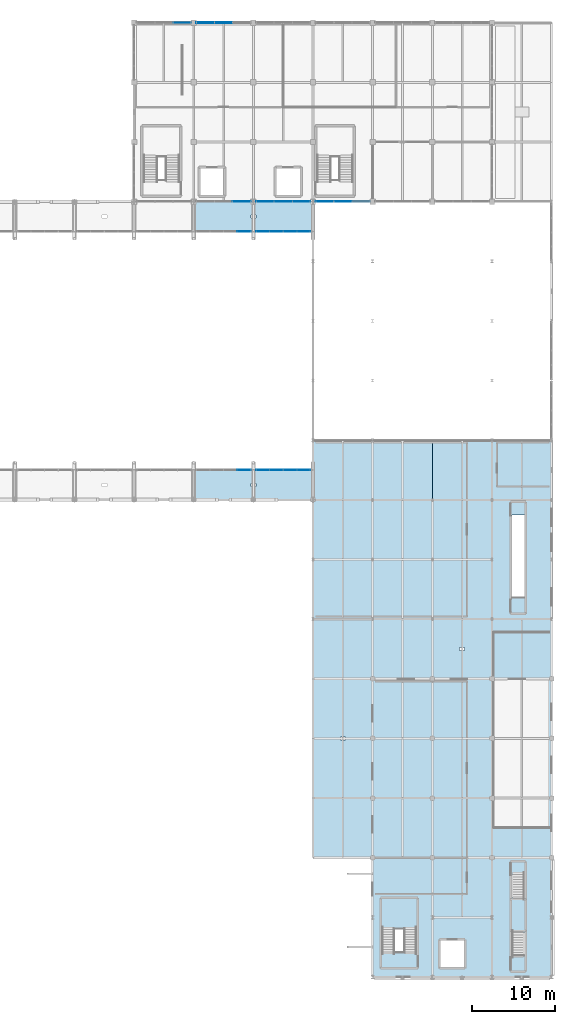
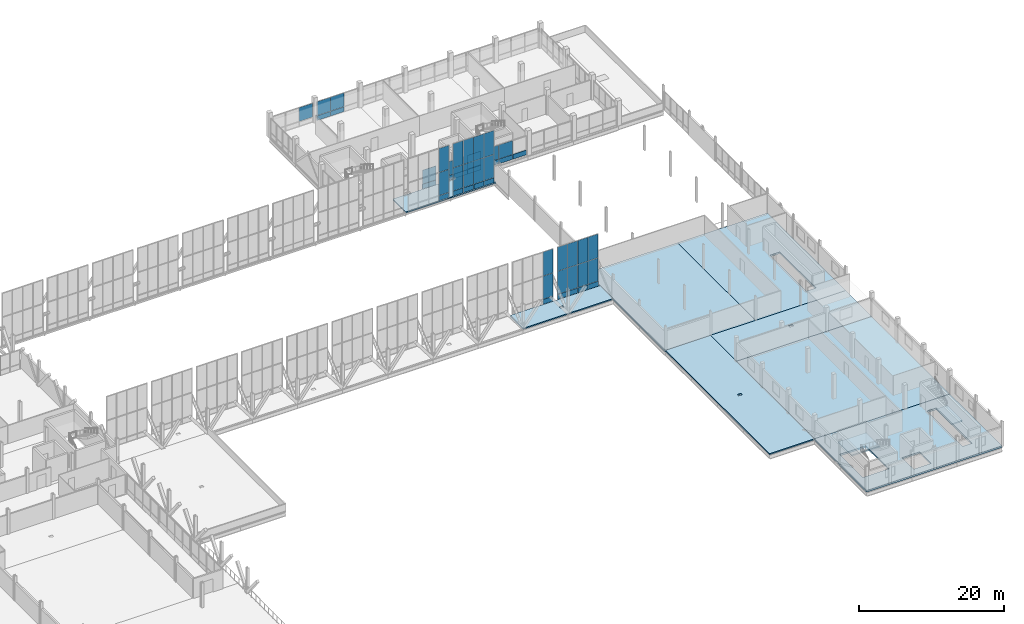
# One storey, part 81 of 102: 48 plates, 10 slabs, 11 elements without a shape of their own.
"""IFC4 building model written with IfcOpenShell, lengths in metres."""

from ifc_helpers import new_model, si_unit, direction, frame, origin, origin_2d, place, context, subcontext, project, spatial, polyline, rectangle, outline, extrude, material, layer, layer_set, type_object, element, aggregate, save


model = new_model("IFC4")

# Units and contexts
model_context = context("Model", 3, precision=1e-05, world=origin(), true_north=direction((0.0, 1.0)))
body_context = subcontext(model_context, "Body", "Model", "MODEL_VIEW")
ifc_project = project(units=[si_unit("LENGTHUNIT", "METRE"), si_unit("AREAUNIT", "SQUARE_METRE"), si_unit("VOLUMEUNIT", "CUBIC_METRE"), si_unit("PLANEANGLEUNIT", "RADIAN"), si_unit("MASSUNIT", "GRAM", prefix="KILO")], contexts=[model_context])

# Site, building, storey
site_placement = place(None, origin())
site = spatial("IfcSite", under=ifc_project, at=site_placement, CompositionType="ELEMENT")
building_placement = place(site_placement, origin())
building = spatial("IfcBuilding", under=site, at=building_placement, Name="Yarey Park Central Fire Station", CompositionType="ELEMENT")
storey_placement = place(building_placement, frame((0.0, 0.0, 6.0)))
storey = spatial("IfcBuildingStorey", under=building, at=storey_placement, Name="L02", CompositionType="ELEMENT", Elevation=6.0)

# Curtain wall, plate
ifc_material_1 = material(Name="Anodized Aluminium Frame", Category="aluminium")
curtain_wall_type_1 = type_object("IfcCurtainWallType", Name="ENV_CW_CLER_9M", PredefinedType="NOTDEFINED", material=ifc_material_1)
curtain_wall_1_placement = place(storey_placement, origin())
curtain_wall_1 = element("IfcCurtainWall", 1, at=curtain_wall_1_placement, inside=storey, type_object=curtain_wall_type_1, Name="CW_V2_CLER_N_10", PredefinedType="NOTDEFINED")
ifc_material_2 = material(Name="Insulated Aluminium Spandrel Panel", Category="aluminium")
ifc_layer_1 = layer(ifc_material_2, 0.055908203125)
ifc_layer_set_1 = layer_set([ifc_layer_1], Name="Insulated Aluminium Spandrel Panel")
plate_type_1 = type_object("IfcPlateType", Name="ENV_PNL_SPN_01", PredefinedType="CURTAIN_PANEL", material=ifc_layer_set_1)
plate_1_placement = place(storey_placement, frame((128.467529296875, 90.0, 0.04248046875), z_axis=(0.0, 0.0, 1.0), x_axis=(-1.0, 0.0, 0.0)))
plate_1 = element("IfcPlate", 2, at=plate_1_placement, type_object=plate_type_1, Name="CW_V2_CLER_N_10_PNL01", PredefinedType="CURTAIN_PANEL", context=body_context, shape_type="SweptSolid", body=[
    extrude(rectangle(XDim=1.60498046875, YDim=0.055908203125, at=origin_2d()), origin(), (0.0, 0.0, 1.0), 0.840087890625),
])

# Curtain wall, plates
curtain_wall_2_placement = place(storey_placement, origin())
curtain_wall_2 = element("IfcCurtainWall", 3, at=curtain_wall_2_placement, inside=storey, type_object=curtain_wall_type_1, Name="CW_V2_CLER_S_11", PredefinedType="NOTDEFINED")
ifc_layer_2 = layer(ifc_material_2, 0.068115234375)
ifc_layer_set_2 = layer_set([ifc_layer_2], Name="Insulated Aluminium Spandrel Panel")
plate_type_2 = type_object("IfcPlateType", Name="ENV_PNL_SPN_02", PredefinedType="CURTAIN_PANEL", material=ifc_layer_set_2)
plate_2_placement = place(storey_placement, frame((130.732421875, 61.199951171875, 0.04248046875), z_axis=(0.0, 0.0, 1.0), x_axis=(1.0, 0.0, 0.0)))
plate_2 = element("IfcPlate", 4, at=plate_2_placement, type_object=plate_type_2, Name="CW_V2_CLER_S_11_PNL01", PredefinedType="CURTAIN_PANEL", context=body_context, shape_type="SweptSolid", body=[
    extrude(rectangle(XDim=1.60498046875, YDim=0.068115234375, at=origin_2d()), origin(), (0.0, 0.0, 1.0), 0.840087890625),
])
plate_3_placement = place(storey_placement, frame((132.37744140625, 61.199951171875, 0.04248046875), z_axis=(0.0, 0.0, 1.0), x_axis=(1.0, 0.0, 0.0)))
plate_3 = element("IfcPlate", 5, at=plate_3_placement, type_object=plate_type_2, Name="CW_V2_CLER_S_11_PNL04", PredefinedType="CURTAIN_PANEL", context=body_context, shape_type="SweptSolid", body=[
    extrude(rectangle(XDim=1.60498046875, YDim=0.068115234375, at=origin_2d()), origin(), (0.0, 0.0, 1.0), 0.840087890625),
])
plate_4_placement = place(storey_placement, frame((134.0224609375, 61.199951171875, 0.04248046875), z_axis=(0.0, 0.0, 1.0), x_axis=(1.0, 0.0, 0.0)))
plate_4 = element("IfcPlate", 6, at=plate_4_placement, type_object=plate_type_2, Name="CW_V2_CLER_S_11_PNL07", PredefinedType="CURTAIN_PANEL", context=body_context, shape_type="SweptSolid", body=[
    extrude(rectangle(XDim=1.60498046875, YDim=0.068115234375, at=origin_2d()), origin(), (0.0, 0.0, 1.0), 0.840087890625),
])
plate_5_placement = place(storey_placement, frame((135.66748046875, 61.199951171875, 0.04248046875), z_axis=(0.0, 0.0, 1.0), x_axis=(1.0, 0.0, 0.0)))
plate_5 = element("IfcPlate", 7, at=plate_5_placement, type_object=plate_type_2, Name="CW_V2_CLER_S_11_PNL10", PredefinedType="CURTAIN_PANEL", context=body_context, shape_type="SweptSolid", body=[
    extrude(rectangle(XDim=1.60498046875, YDim=0.068115234375, at=origin_2d()), origin(), (0.0, 0.0, 1.0), 0.840087890625),
])

curtain_wall_type_2 = type_object("IfcCurtainWallType", Name="ENV_CW_HQ_L02", PredefinedType="NOTDEFINED", material=ifc_material_1)
curtain_wall_3_placement = place(storey_placement, origin())
curtain_wall_3 = element("IfcCurtainWall", 8, at=curtain_wall_3_placement, inside=storey, type_object=curtain_wall_type_2, Name="CW_L02_V4_S_3", PredefinedType="NOTDEFINED")
plate_6_placement = place(storey_placement, frame((131.006591796875, 93.60009765625, 0.04248046875), z_axis=(0.0, 0.0, 1.0), x_axis=(1.0, 0.0, 0.0)))
plate_6 = element("IfcPlate", 9, at=plate_6_placement, type_object=plate_type_2, Name="CW_L02_V4_S_3_PNL01", PredefinedType="CURTAIN_PANEL", context=body_context, shape_type="SweptSolid", body=[
    extrude(rectangle(XDim=2.1533203125, YDim=0.068115234375, at=origin_2d()), origin(), (0.0, 0.0, 1.0), 0.7900390625),
])
plate_7_placement = place(storey_placement, frame((133.199951171875, 93.60009765625, 0.04248046875), z_axis=(0.0, 0.0, 1.0), x_axis=(1.0, 0.0, 0.0)))
plate_7 = element("IfcPlate", 10, at=plate_7_placement, type_object=plate_type_2, Name="CW_L02_V4_S_3_PNL03", PredefinedType="CURTAIN_PANEL", context=body_context, shape_type="SweptSolid", body=[
    extrude(rectangle(XDim=2.1533203125, YDim=0.068115234375, at=origin_2d()), origin(), (0.0, 0.0, 1.0), 0.7900390625),
])
plate_8_placement = place(storey_placement, frame((135.393310546875, 93.60009765625, 0.04248046875), z_axis=(0.0, 0.0, 1.0), x_axis=(1.0, 0.0, 0.0)))
plate_8 = element("IfcPlate", 11, at=plate_8_placement, type_object=plate_type_2, Name="CW_L02_V4_S_3_PNL05", PredefinedType="CURTAIN_PANEL", context=body_context, shape_type="SweptSolid", body=[
    extrude(rectangle(XDim=2.1533203125, YDim=0.068115234375, at=origin_2d()), origin(), (0.0, 0.0, 1.0), 0.7900390625),
])

curtain_wall_4_placement = place(storey_placement, origin())
curtain_wall_4 = element("IfcCurtainWall", 12, at=curtain_wall_4_placement, inside=storey, type_object=curtain_wall_type_1, Name="CW_V2_CLER_N_11", PredefinedType="NOTDEFINED")
ifc_layer_3 = layer(ifc_material_2, 0.077880859375)
ifc_layer_set_3 = layer_set([ifc_layer_3], Name="Insulated Aluminium Spandrel Panel")
plate_type_3 = type_object("IfcPlateType", Name="ENV_PNL_SPN_03", PredefinedType="CURTAIN_PANEL", material=ifc_layer_set_3)
plate_9_placement = place(storey_placement, frame((135.66748046875, 90.0, 0.04248046875), z_axis=(0.0, 0.0, 1.0), x_axis=(-1.0, 0.0, 0.0)))
plate_9 = element("IfcPlate", 13, at=plate_9_placement, type_object=plate_type_3, Name="CW_V2_CLER_N_11_PNL01", PredefinedType="CURTAIN_PANEL", context=body_context, shape_type="SweptSolid", body=[
    extrude(rectangle(XDim=1.60498046875, YDim=0.077880859375, at=origin_2d()), origin(), (0.0, 0.0, 1.0), 0.840087890625),
])
plate_10_placement = place(storey_placement, frame((134.0224609375, 90.0, 0.04248046875), z_axis=(0.0, 0.0, 1.0), x_axis=(-1.0, 0.0, 0.0)))
plate_10 = element("IfcPlate", 14, at=plate_10_placement, type_object=plate_type_3, Name="CW_V2_CLER_N_11_PNL04", PredefinedType="CURTAIN_PANEL", context=body_context, shape_type="SweptSolid", body=[
    extrude(rectangle(XDim=1.60498046875, YDim=0.077880859375, at=origin_2d()), origin(), (0.0, 0.0, 1.0), 0.840087890625),
])
plate_11_placement = place(storey_placement, frame((132.37744140625, 90.0, 0.04248046875), z_axis=(0.0, 0.0, 1.0), x_axis=(-1.0, 0.0, 0.0)))
plate_11 = element("IfcPlate", 15, at=plate_11_placement, type_object=plate_type_3, Name="CW_V2_CLER_N_11_PNL07", PredefinedType="CURTAIN_PANEL", context=body_context, shape_type="SweptSolid", body=[
    extrude(rectangle(XDim=1.60498046875, YDim=0.077880859375, at=origin_2d()), origin(), (0.0, 0.0, 1.0), 0.840087890625),
])
plate_12_placement = place(storey_placement, frame((130.732421875, 90.0, 0.04248046875), z_axis=(0.0, 0.0, 1.0), x_axis=(-1.0, 0.0, 0.0)))
plate_12 = element("IfcPlate", 16, at=plate_12_placement, type_object=plate_type_3, Name="CW_V2_CLER_N_11_PNL10", PredefinedType="CURTAIN_PANEL", context=body_context, shape_type="SweptSolid", body=[
    extrude(rectangle(XDim=1.60498046875, YDim=0.077880859375, at=origin_2d()), origin(), (0.0, 0.0, 1.0), 0.840087890625),
])

curtain_wall_5_placement = place(storey_placement, origin())
curtain_wall_5 = element("IfcCurtainWall", 17, at=curtain_wall_5_placement, inside=storey, type_object=curtain_wall_type_2, Name="CW_L02_V4_N_2", PredefinedType="NOTDEFINED")
plate_13_placement = place(storey_placement, frame((126.0, 115.199951171875, 0.04248046875), z_axis=(0.0, 0.0, 1.0), x_axis=(-1.0, 0.0, 0.0)))
plate_13 = element("IfcPlate", 18, at=plate_13_placement, type_object=plate_type_3, Name="CW_L02_V4_N_2_PNL03", PredefinedType="CURTAIN_PANEL", context=body_context, shape_type="SweptSolid", body=[
    extrude(rectangle(XDim=2.1533203125, YDim=0.077880859375, at=origin_2d()), origin(), (0.0, 0.0, 1.0), 0.7900390625),
])
plate_14_placement = place(storey_placement, frame((123.806640625, 115.199951171875, 0.04248046875), z_axis=(0.0, 0.0, 1.0), x_axis=(-1.0, 0.0, 0.0)))
plate_14 = element("IfcPlate", 19, at=plate_14_placement, type_object=plate_type_3, Name="CW_L02_V4_N_2_PNL05", PredefinedType="CURTAIN_PANEL", context=body_context, shape_type="SweptSolid", body=[
    extrude(rectangle(XDim=2.1533203125, YDim=0.077880859375, at=origin_2d()), origin(), (0.0, 0.0, 1.0), 0.7900390625),
])

# Curtain wall, plate
curtain_wall_6_placement = place(storey_placement, origin())
curtain_wall_6 = element("IfcCurtainWall", 20, at=curtain_wall_6_placement, inside=storey, type_object=curtain_wall_type_1, Name="CW_V2_CLER_S_10", PredefinedType="NOTDEFINED")
ifc_layer_4 = layer(ifc_material_2, 0.087890625)
ifc_layer_set_4 = layer_set([ifc_layer_4], Name="Insulated Aluminium Spandrel Panel")
plate_type_4 = type_object("IfcPlateType", Name="ENV_PNL_SPN_04", PredefinedType="CURTAIN_PANEL", material=ifc_layer_set_4)
plate_15_placement = place(storey_placement, frame((128.467529296875, 61.199951171875, 0.04248046875), z_axis=(0.0, 0.0, 1.0), x_axis=(1.0, 0.0, 0.0)))
plate_15 = element("IfcPlate", 21, at=plate_15_placement, type_object=plate_type_4, Name="CW_V2_CLER_S_10_PNL10", PredefinedType="CURTAIN_PANEL", context=body_context, shape_type="SweptSolid", body=[
    extrude(rectangle(XDim=1.60498046875, YDim=0.087890625, at=origin_2d()), origin(), (0.0, 0.0, 1.0), 0.840087890625),
])

curtain_wall_7_placement = place(storey_placement, origin())
curtain_wall_7 = element("IfcCurtainWall", 22, at=curtain_wall_7_placement, inside=storey, type_object=curtain_wall_type_2, Name="CW_L02_V4_S_2", PredefinedType="NOTDEFINED")
plate_16_placement = place(storey_placement, frame((128.193359375, 93.60009765625, 0.04248046875), z_axis=(0.0, 0.0, 1.0), x_axis=(1.0, 0.0, 0.0)))
plate_16 = element("IfcPlate", 23, at=plate_16_placement, type_object=plate_type_4, Name="CW_L02_V4_S_2_PNL05", PredefinedType="CURTAIN_PANEL", context=body_context, shape_type="SweptSolid", body=[
    extrude(rectangle(XDim=2.1533203125, YDim=0.087890625, at=origin_2d()), origin(), (0.0, 0.0, 1.0), 0.7900390625),
])

# Curtain wall, plates
curtain_wall_8_placement = place(storey_placement, origin())
curtain_wall_8 = element("IfcCurtainWall", 24, at=curtain_wall_8_placement, inside=storey, type_object=curtain_wall_type_2, Name="CW_L02_V4_S_4", PredefinedType="NOTDEFINED")
plate_17_placement = place(storey_placement, frame((138.206787109375, 93.60009765625, 0.04248046875), z_axis=(0.0, 0.0, 1.0), x_axis=(1.0, 0.0, 0.0)))
plate_17 = element("IfcPlate", 25, at=plate_17_placement, type_object=plate_type_4, Name="CW_L02_V4_S_4_PNL01", PredefinedType="CURTAIN_PANEL", context=body_context, shape_type="SweptSolid", body=[
    extrude(rectangle(XDim=2.1533203125, YDim=0.087890625, at=origin_2d()), origin(), (0.0, 0.0, 1.0), 0.7900390625),
])
plate_18_placement = place(storey_placement, frame((140.39990234375, 93.60009765625, 0.04248046875), z_axis=(0.0, 0.0, 1.0), x_axis=(1.0, 0.0, 0.0)))
plate_18 = element("IfcPlate", 26, at=plate_18_placement, type_object=plate_type_4, Name="CW_L02_V4_S_4_PNL03", PredefinedType="CURTAIN_PANEL", context=body_context, shape_type="SweptSolid", body=[
    extrude(rectangle(XDim=2.1533203125, YDim=0.087890625, at=origin_2d()), origin(), (0.0, 0.0, 1.0), 0.7900390625),
])
plate_19_placement = place(storey_placement, frame((142.59326171875, 93.60009765625, 0.04248046875), z_axis=(0.0, 0.0, 1.0), x_axis=(1.0, 0.0, 0.0)))
plate_19 = element("IfcPlate", 27, at=plate_19_placement, type_object=plate_type_4, Name="CW_L02_V4_S_4_PNL05", PredefinedType="CURTAIN_PANEL", context=body_context, shape_type="SweptSolid", body=[
    extrude(rectangle(XDim=2.1533203125, YDim=0.087890625, at=origin_2d()), origin(), (0.0, 0.0, 1.0), 0.7900390625),
])

# Plate
ifc_material_3 = material(Name="Laminated Hurricane Low-E Glass", Category="glass")
ifc_layer_5 = layer(ifc_material_3, 0.02392578125)
ifc_layer_set_5 = layer_set([ifc_layer_5], Name="Laminated Hurricane Low-E Glass")
plate_type_5 = type_object("IfcPlateType", Name="ENV_PNL_VIS_01", PredefinedType="CURTAIN_PANEL", material=ifc_layer_set_5)
plate_20_placement = place(storey_placement, frame((128.467529296875, 90.0, 0.91748046875), z_axis=(0.0, 0.0, 1.0), x_axis=(-1.0, 0.0, 0.0)))
plate_20 = element("IfcPlate", 28, at=plate_20_placement, type_object=plate_type_5, Name="CW_V2_CLER_N_10_PNL02", PredefinedType="CURTAIN_PANEL", context=body_context, shape_type="SweptSolid", body=[
    extrude(rectangle(XDim=1.60498046875, YDim=0.02392578125, at=origin_2d()), origin(), (0.0, 0.0, 1.0), 3.87109375),
])

plate_21_placement = place(storey_placement, frame((128.467529296875, 90.0, 4.82373046875), z_axis=(0.0, 0.0, 1.0), x_axis=(-1.0, 0.0, 0.0)))
plate_21 = element("IfcPlate", 29, at=plate_21_placement, type_object=plate_type_5, Name="CW_V2_CLER_N_10_PNL03", PredefinedType="CURTAIN_PANEL", context=body_context, shape_type="SweptSolid", body=[
    extrude(rectangle(XDim=1.60498046875, YDim=0.02392578125, at=origin_2d()), origin(), (0.0, 0.0, 1.0), 4.033935546875),
])

aggregate(curtain_wall_1, [plate_1, plate_20, plate_21])

# Curtain wall, plate
curtain_wall_9_placement = place(storey_placement, origin())
curtain_wall_9 = element("IfcCurtainWall", 30, at=curtain_wall_9_placement, inside=storey, type_object=curtain_wall_type_2, Name="CW_L02_V4_N_1", PredefinedType="NOTDEFINED")
plate_22_placement = place(storey_placement, frame((120.993408203125, 115.199951171875, 0.867431640625), z_axis=(0.0, 0.0, 1.0), x_axis=(-1.0, 0.0, 0.0)))
plate_22 = element("IfcPlate", 31, at=plate_22_placement, type_object=plate_type_5, Name="CW_L02_V4_N_1_PNL02", PredefinedType="CURTAIN_PANEL", context=body_context, shape_type="SweptSolid", body=[
    extrude(rectangle(XDim=2.1533203125, YDim=0.02392578125, at=origin_2d()), origin(), (0.0, 0.0, 1.0), 2.3369140625),
])
aggregate(curtain_wall_9, [plate_22])

# Plate
ifc_layer_6 = layer(ifc_material_3, 0.031982421875)
ifc_layer_set_6 = layer_set([ifc_layer_6], Name="Laminated Hurricane Low-E Glass")
plate_type_6 = type_object("IfcPlateType", Name="ENV_PNL_VIS_02", PredefinedType="CURTAIN_PANEL", material=ifc_layer_set_6)
plate_23_placement = place(storey_placement, frame((130.732421875, 61.199951171875, 0.91748046875), z_axis=(0.0, 0.0, 1.0), x_axis=(1.0, 0.0, 0.0)))
plate_23 = element("IfcPlate", 32, at=plate_23_placement, type_object=plate_type_6, Name="CW_V2_CLER_S_11_PNL02", PredefinedType="CURTAIN_PANEL", context=body_context, shape_type="SweptSolid", body=[
    extrude(rectangle(XDim=1.60498046875, YDim=0.031982421875, at=origin_2d()), origin(), (0.0, 0.0, 1.0), 3.87109375),
])

plate_24_placement = place(storey_placement, frame((130.732421875, 61.199951171875, 4.82373046875), z_axis=(0.0, 0.0, 1.0), x_axis=(1.0, 0.0, 0.0)))
plate_24 = element("IfcPlate", 33, at=plate_24_placement, type_object=plate_type_6, Name="CW_V2_CLER_S_11_PNL03", PredefinedType="CURTAIN_PANEL", context=body_context, shape_type="SweptSolid", body=[
    extrude(rectangle(XDim=1.60498046875, YDim=0.031982421875, at=origin_2d()), origin(), (0.0, 0.0, 1.0), 4.033935546875),
])

plate_25_placement = place(storey_placement, frame((132.37744140625, 61.199951171875, 0.91748046875), z_axis=(0.0, 0.0, 1.0), x_axis=(1.0, 0.0, 0.0)))
plate_25 = element("IfcPlate", 34, at=plate_25_placement, type_object=plate_type_6, Name="CW_V2_CLER_S_11_PNL05", PredefinedType="CURTAIN_PANEL", context=body_context, shape_type="SweptSolid", body=[
    extrude(rectangle(XDim=1.60498046875, YDim=0.031982421875, at=origin_2d()), origin(), (0.0, 0.0, 1.0), 3.87109375),
])

plate_26_placement = place(storey_placement, frame((132.37744140625, 61.199951171875, 4.82373046875), z_axis=(0.0, 0.0, 1.0), x_axis=(1.0, 0.0, 0.0)))
plate_26 = element("IfcPlate", 35, at=plate_26_placement, type_object=plate_type_6, Name="CW_V2_CLER_S_11_PNL06", PredefinedType="CURTAIN_PANEL", context=body_context, shape_type="SweptSolid", body=[
    extrude(rectangle(XDim=1.60498046875, YDim=0.031982421875, at=origin_2d()), origin(), (0.0, 0.0, 1.0), 4.033935546875),
])

plate_27_placement = place(storey_placement, frame((134.0224609375, 61.199951171875, 0.91748046875), z_axis=(0.0, 0.0, 1.0), x_axis=(1.0, 0.0, 0.0)))
plate_27 = element("IfcPlate", 36, at=plate_27_placement, type_object=plate_type_6, Name="CW_V2_CLER_S_11_PNL08", PredefinedType="CURTAIN_PANEL", context=body_context, shape_type="SweptSolid", body=[
    extrude(rectangle(XDim=1.60498046875, YDim=0.031982421875, at=origin_2d()), origin(), (0.0, 0.0, 1.0), 3.87109375),
])

plate_28_placement = place(storey_placement, frame((134.0224609375, 61.199951171875, 4.82373046875), z_axis=(0.0, 0.0, 1.0), x_axis=(1.0, 0.0, 0.0)))
plate_28 = element("IfcPlate", 37, at=plate_28_placement, type_object=plate_type_6, Name="CW_V2_CLER_S_11_PNL09", PredefinedType="CURTAIN_PANEL", context=body_context, shape_type="SweptSolid", body=[
    extrude(rectangle(XDim=1.60498046875, YDim=0.031982421875, at=origin_2d()), origin(), (0.0, 0.0, 1.0), 4.033935546875),
])

plate_29_placement = place(storey_placement, frame((135.66748046875, 61.199951171875, 0.91748046875), z_axis=(0.0, 0.0, 1.0), x_axis=(1.0, 0.0, 0.0)))
plate_29 = element("IfcPlate", 38, at=plate_29_placement, type_object=plate_type_6, Name="CW_V2_CLER_S_11_PNL11", PredefinedType="CURTAIN_PANEL", context=body_context, shape_type="SweptSolid", body=[
    extrude(rectangle(XDim=1.60498046875, YDim=0.031982421875, at=origin_2d()), origin(), (0.0, 0.0, 1.0), 3.87109375),
])

plate_30_placement = place(storey_placement, frame((135.66748046875, 61.199951171875, 4.82373046875), z_axis=(0.0, 0.0, 1.0), x_axis=(1.0, 0.0, 0.0)))
plate_30 = element("IfcPlate", 39, at=plate_30_placement, type_object=plate_type_6, Name="CW_V2_CLER_S_11_PNL12", PredefinedType="CURTAIN_PANEL", context=body_context, shape_type="SweptSolid", body=[
    extrude(rectangle(XDim=1.60498046875, YDim=0.031982421875, at=origin_2d()), origin(), (0.0, 0.0, 1.0), 4.033935546875),
])

aggregate(curtain_wall_2, [plate_2, plate_23, plate_24, plate_3, plate_25, plate_26, plate_4, plate_27, plate_28, plate_5, plate_29, plate_30])

plate_31_placement = place(storey_placement, frame((131.006591796875, 93.60009765625, 0.867431640625), z_axis=(0.0, 0.0, 1.0), x_axis=(1.0, 0.0, 0.0)))
plate_31 = element("IfcPlate", 40, at=plate_31_placement, type_object=plate_type_6, Name="CW_L02_V4_S_3_PNL02", PredefinedType="CURTAIN_PANEL", context=body_context, shape_type="SweptSolid", body=[
    extrude(rectangle(XDim=2.1533203125, YDim=0.031982421875, at=origin_2d()), origin(), (0.0, 0.0, 1.0), 2.3369140625),
])

plate_32_placement = place(storey_placement, frame((133.199951171875, 93.60009765625, 0.867431640625), z_axis=(0.0, 0.0, 1.0), x_axis=(1.0, 0.0, 0.0)))
plate_32 = element("IfcPlate", 41, at=plate_32_placement, type_object=plate_type_6, Name="CW_L02_V4_S_3_PNL04", PredefinedType="CURTAIN_PANEL", context=body_context, shape_type="SweptSolid", body=[
    extrude(rectangle(XDim=2.1533203125, YDim=0.031982421875, at=origin_2d()), origin(), (0.0, 0.0, 1.0), 2.3369140625),
])

plate_33_placement = place(storey_placement, frame((135.393310546875, 93.60009765625, 0.867431640625), z_axis=(0.0, 0.0, 1.0), x_axis=(1.0, 0.0, 0.0)))
plate_33 = element("IfcPlate", 42, at=plate_33_placement, type_object=plate_type_6, Name="CW_L02_V4_S_3_PNL06", PredefinedType="CURTAIN_PANEL", context=body_context, shape_type="SweptSolid", body=[
    extrude(rectangle(XDim=2.1533203125, YDim=0.031982421875, at=origin_2d()), origin(), (0.0, 0.0, 1.0), 2.3369140625),
])

aggregate(curtain_wall_3, [plate_6, plate_31, plate_7, plate_32, plate_8, plate_33])

ifc_layer_7 = layer(ifc_material_3, 0.0380859375)
ifc_layer_set_7 = layer_set([ifc_layer_7], Name="Laminated Hurricane Low-E Glass")
plate_type_7 = type_object("IfcPlateType", Name="ENV_PNL_VIS_03", PredefinedType="CURTAIN_PANEL", material=ifc_layer_set_7)
plate_34_placement = place(storey_placement, frame((135.66748046875, 90.0, 0.91748046875), z_axis=(0.0, 0.0, 1.0), x_axis=(-1.0, 0.0, 0.0)))
plate_34 = element("IfcPlate", 43, at=plate_34_placement, type_object=plate_type_7, Name="CW_V2_CLER_N_11_PNL02", PredefinedType="CURTAIN_PANEL", context=body_context, shape_type="SweptSolid", body=[
    extrude(rectangle(XDim=1.60498046875, YDim=0.0380859375, at=origin_2d()), origin(), (0.0, 0.0, 1.0), 3.87109375),
])

plate_35_placement = place(storey_placement, frame((135.66748046875, 90.0, 4.82373046875), z_axis=(0.0, 0.0, 1.0), x_axis=(-1.0, 0.0, 0.0)))
plate_35 = element("IfcPlate", 44, at=plate_35_placement, type_object=plate_type_7, Name="CW_V2_CLER_N_11_PNL03", PredefinedType="CURTAIN_PANEL", context=body_context, shape_type="SweptSolid", body=[
    extrude(rectangle(XDim=1.60498046875, YDim=0.0380859375, at=origin_2d()), origin(), (0.0, 0.0, 1.0), 4.033935546875),
])

plate_36_placement = place(storey_placement, frame((134.0224609375, 90.0, 0.91748046875), z_axis=(0.0, 0.0, 1.0), x_axis=(-1.0, 0.0, 0.0)))
plate_36 = element("IfcPlate", 45, at=plate_36_placement, type_object=plate_type_7, Name="CW_V2_CLER_N_11_PNL05", PredefinedType="CURTAIN_PANEL", context=body_context, shape_type="SweptSolid", body=[
    extrude(rectangle(XDim=1.60498046875, YDim=0.0380859375, at=origin_2d()), origin(), (0.0, 0.0, 1.0), 3.87109375),
])

plate_37_placement = place(storey_placement, frame((134.0224609375, 90.0, 4.82373046875), z_axis=(0.0, 0.0, 1.0), x_axis=(-1.0, 0.0, 0.0)))
plate_37 = element("IfcPlate", 46, at=plate_37_placement, type_object=plate_type_7, Name="CW_V2_CLER_N_11_PNL06", PredefinedType="CURTAIN_PANEL", context=body_context, shape_type="SweptSolid", body=[
    extrude(rectangle(XDim=1.60498046875, YDim=0.0380859375, at=origin_2d()), origin(), (0.0, 0.0, 1.0), 4.033935546875),
])

plate_38_placement = place(storey_placement, frame((132.37744140625, 90.0, 0.91748046875), z_axis=(0.0, 0.0, 1.0), x_axis=(-1.0, 0.0, 0.0)))
plate_38 = element("IfcPlate", 47, at=plate_38_placement, type_object=plate_type_7, Name="CW_V2_CLER_N_11_PNL08", PredefinedType="CURTAIN_PANEL", context=body_context, shape_type="SweptSolid", body=[
    extrude(rectangle(XDim=1.60498046875, YDim=0.0380859375, at=origin_2d()), origin(), (0.0, 0.0, 1.0), 3.87109375),
])

plate_39_placement = place(storey_placement, frame((132.37744140625, 90.0, 4.82373046875), z_axis=(0.0, 0.0, 1.0), x_axis=(-1.0, 0.0, 0.0)))
plate_39 = element("IfcPlate", 48, at=plate_39_placement, type_object=plate_type_7, Name="CW_V2_CLER_N_11_PNL09", PredefinedType="CURTAIN_PANEL", context=body_context, shape_type="SweptSolid", body=[
    extrude(rectangle(XDim=1.60498046875, YDim=0.0380859375, at=origin_2d()), origin(), (0.0, 0.0, 1.0), 4.033935546875),
])

plate_40_placement = place(storey_placement, frame((130.732421875, 90.0, 0.91748046875), z_axis=(0.0, 0.0, 1.0), x_axis=(-1.0, 0.0, 0.0)))
plate_40 = element("IfcPlate", 49, at=plate_40_placement, type_object=plate_type_7, Name="CW_V2_CLER_N_11_PNL11", PredefinedType="CURTAIN_PANEL", context=body_context, shape_type="SweptSolid", body=[
    extrude(rectangle(XDim=1.60498046875, YDim=0.0380859375, at=origin_2d()), origin(), (0.0, 0.0, 1.0), 3.87109375),
])

plate_41_placement = place(storey_placement, frame((130.732421875, 90.0, 4.82373046875), z_axis=(0.0, 0.0, 1.0), x_axis=(-1.0, 0.0, 0.0)))
plate_41 = element("IfcPlate", 50, at=plate_41_placement, type_object=plate_type_7, Name="CW_V2_CLER_N_11_PNL12", PredefinedType="CURTAIN_PANEL", context=body_context, shape_type="SweptSolid", body=[
    extrude(rectangle(XDim=1.60498046875, YDim=0.0380859375, at=origin_2d()), origin(), (0.0, 0.0, 1.0), 4.033935546875),
])

aggregate(curtain_wall_4, [plate_9, plate_34, plate_35, plate_10, plate_36, plate_37, plate_11, plate_38, plate_39, plate_12, plate_40, plate_41])

plate_42_placement = place(storey_placement, frame((126.0, 115.199951171875, 0.867431640625), z_axis=(0.0, 0.0, 1.0), x_axis=(-1.0, 0.0, 0.0)))
plate_42 = element("IfcPlate", 51, at=plate_42_placement, type_object=plate_type_7, Name="CW_L02_V4_N_2_PNL04", PredefinedType="CURTAIN_PANEL", context=body_context, shape_type="SweptSolid", body=[
    extrude(rectangle(XDim=2.1533203125, YDim=0.0380859375, at=origin_2d()), origin(), (0.0, 0.0, 1.0), 2.3369140625),
])

plate_43_placement = place(storey_placement, frame((123.806640625, 115.199951171875, 0.867431640625), z_axis=(0.0, 0.0, 1.0), x_axis=(-1.0, 0.0, 0.0)))
plate_43 = element("IfcPlate", 52, at=plate_43_placement, type_object=plate_type_7, Name="CW_L02_V4_N_2_PNL06", PredefinedType="CURTAIN_PANEL", context=body_context, shape_type="SweptSolid", body=[
    extrude(rectangle(XDim=2.1533203125, YDim=0.0380859375, at=origin_2d()), origin(), (0.0, 0.0, 1.0), 2.3369140625),
])

aggregate(curtain_wall_5, [plate_13, plate_42, plate_14, plate_43])

ifc_layer_8 = layer(ifc_material_3, 0.0458984375)
ifc_layer_set_8 = layer_set([ifc_layer_8], Name="Laminated Hurricane Low-E Glass")
plate_type_8 = type_object("IfcPlateType", Name="ENV_PNL_VIS_04", PredefinedType="CURTAIN_PANEL", material=ifc_layer_set_8)
plate_44_placement = place(storey_placement, frame((128.467529296875, 61.199951171875, 0.91748046875), z_axis=(0.0, 0.0, 1.0), x_axis=(1.0, 0.0, 0.0)))
plate_44 = element("IfcPlate", 53, at=plate_44_placement, type_object=plate_type_8, Name="CW_V2_CLER_S_10_PNL11", PredefinedType="CURTAIN_PANEL", context=body_context, shape_type="SweptSolid", body=[
    extrude(rectangle(XDim=1.60498046875, YDim=0.0458984375, at=origin_2d()), origin(), (0.0, 0.0, 1.0), 3.87109375),
])

plate_45_placement = place(storey_placement, frame((128.467529296875, 61.199951171875, 4.82373046875), z_axis=(0.0, 0.0, 1.0), x_axis=(1.0, 0.0, 0.0)))
plate_45 = element("IfcPlate", 54, at=plate_45_placement, type_object=plate_type_8, Name="CW_V2_CLER_S_10_PNL12", PredefinedType="CURTAIN_PANEL", context=body_context, shape_type="SweptSolid", body=[
    extrude(rectangle(XDim=1.60498046875, YDim=0.0458984375, at=origin_2d()), origin(), (0.0, 0.0, 1.0), 4.033935546875),
])

aggregate(curtain_wall_6, [plate_15, plate_44, plate_45])

plate_46_placement = place(storey_placement, frame((128.193359375, 93.60009765625, 0.867431640625), z_axis=(0.0, 0.0, 1.0), x_axis=(1.0, 0.0, 0.0)))
plate_46 = element("IfcPlate", 55, at=plate_46_placement, type_object=plate_type_8, Name="CW_L02_V4_S_2_PNL06", PredefinedType="CURTAIN_PANEL", context=body_context, shape_type="SweptSolid", body=[
    extrude(rectangle(XDim=2.1533203125, YDim=0.0458984375, at=origin_2d()), origin(), (0.0, 0.0, 1.0), 2.3369140625),
])

aggregate(curtain_wall_7, [plate_16, plate_46])

plate_47_placement = place(storey_placement, frame((138.206787109375, 93.60009765625, 0.867431640625), z_axis=(0.0, 0.0, 1.0), x_axis=(1.0, 0.0, 0.0)))
plate_47 = element("IfcPlate", 56, at=plate_47_placement, type_object=plate_type_8, Name="CW_L02_V4_S_4_PNL02", PredefinedType="CURTAIN_PANEL", context=body_context, shape_type="SweptSolid", body=[
    extrude(rectangle(XDim=2.1533203125, YDim=0.0458984375, at=origin_2d()), origin(), (0.0, 0.0, 1.0), 2.3369140625),
])

plate_48_placement = place(storey_placement, frame((140.39990234375, 93.60009765625, 0.867431640625), z_axis=(0.0, 0.0, 1.0), x_axis=(1.0, 0.0, 0.0)))
plate_48 = element("IfcPlate", 57, at=plate_48_placement, type_object=plate_type_8, Name="CW_L02_V4_S_4_PNL04", PredefinedType="CURTAIN_PANEL", context=body_context, shape_type="SweptSolid", body=[
    extrude(rectangle(XDim=2.1533203125, YDim=0.0458984375, at=origin_2d()), origin(), (0.0, 0.0, 1.0), 2.3369140625),
])

aggregate(curtain_wall_8, [plate_17, plate_47, plate_18, plate_48, plate_19])

# Stair, slab
ifc_material_4 = material(Name="Concrete C40/50", Category="concrete")
stair_type_1 = type_object("IfcStairType", Name="INT_ST_1RUN_130_H42", PredefinedType="STRAIGHT_RUN_STAIR", material=ifc_material_4)
stair_1_placement = place(storey_placement, origin())
stair_1 = element("IfcStair", 58, at=stair_1_placement, inside=storey, type_object=stair_type_1, Name="Exit Stair ST-6 L02", PredefinedType="STRAIGHT_RUN_STAIR")
ifc_layer_9 = layer(ifc_material_4, 0.18505859375)
ifc_layer_set_9 = layer_set([ifc_layer_9], Name="Concrete C40/50")
slab_type_1 = type_object("IfcSlabType", Name="INT_SLAB_LND185", PredefinedType="LANDING", material=ifc_layer_set_9)
slab_1_placement = place(storey_placement, frame((0.0, 0.0, 1.9150390625)))
slab_1 = element("IfcSlab", 59, at=slab_1_placement, type_object=slab_type_1, Name="STAIR_C6_L02_LND", PredefinedType="LANDING", context=body_context, shape_type="SweptSolid", body=[
    extrude(outline(polyline([(160.64990234375, 5.39990234375), (162.449951171875, 5.39990234375), (162.449951171875, 9.60009765625), (160.64990234375, 9.60009765625), (160.64990234375, 5.39990234375)])), origin(), (0.0, 0.0, 1.0), 0.18505859375),
])
aggregate(stair_1, [slab_1])

stair_type_2 = type_object("IfcStairType", Name="INT_ST_2RUN_130_H42", PredefinedType="USERDEFINED", material=ifc_material_4)
stair_2_placement = place(storey_placement, origin())
stair_2 = element("IfcStair", 60, at=stair_2_placement, inside=storey, type_object=stair_type_2, Name="Exit Stair ST-5 L02", ObjectType="TWO_RUN_STAIR", PredefinedType="USERDEFINED")
ifc_layer_10 = layer(ifc_material_4, 0.205078125)
ifc_layer_set_10 = layer_set([ifc_layer_10], Name="Concrete C40/50")
slab_type_2 = type_object("IfcSlabType", Name="INT_SLAB_LND205", PredefinedType="LANDING", material=ifc_layer_set_10)
slab_2_placement = place(storey_placement, frame((0.0, 0.0, 1.89501953125)))
slab_2 = element("IfcSlab", 61, at=slab_2_placement, type_object=slab_type_2, Name="STAIR_C5_L02_LND", PredefinedType="LANDING", context=body_context, shape_type="SweptSolid", body=[
    extrude(outline(polyline([(144.949951171875, 5.800048828125), (149.449951171875, 5.800048828125), (149.449951171875, 9.550048828125), (144.949951171875, 9.550048828125), (144.949951171875, 5.800048828125)])), origin(), (0.0, 0.0, 1.0), 0.205078125),
])
aggregate(stair_2, [slab_2])

# Slabs
ifc_layer_11 = layer(ifc_material_4, 0.195068359375)
ifc_layer_set_11 = layer_set([ifc_layer_11], Name="Concrete C40/50")
slab_type_3 = type_object("IfcSlabType", Name="STR_ROOF_FLAT195", PredefinedType="ROOF", material=ifc_layer_set_11)
slab_3_placement = place(storey_placement, frame((0.0, 0.0, -0.195068359375)))
element("IfcSlab", 62, at=slab_3_placement, inside=storey, type_object=slab_type_3, Name="ROOF_L02_V2_EAVE_S4", PredefinedType="ROOF", context=body_context, shape_type="SweptSolid", body=[
    extrude(outline(polyline([(122.39990234375, 57.60009765625), (136.800048828125, 57.60009765625), (136.800048828125, 61.199951171875), (122.39990234375, 61.199951171875), (122.39990234375, 57.60009765625)]), holes=[polyline([(129.300048828125, 59.199951171875), (129.89990234375, 59.199951171875), (129.89990234375, 59.60009765625), (129.300048828125, 59.60009765625), (129.300048828125, 59.199951171875)])]), origin(), (0.0, 0.0, 1.0), 0.195068359375),
])
slab_4_placement = place(storey_placement, frame((0.0, 0.0, -0.195068359375)))
element("IfcSlab", 63, at=slab_4_placement, inside=storey, type_object=slab_type_3, Name="ROOF_L02_V2_EAVE_N4", PredefinedType="ROOF", context=body_context, shape_type="SweptSolid", body=[
    extrude(outline(polyline([(122.39990234375, 90.0), (136.800048828125, 90.0), (136.800048828125, 93.60009765625), (122.39990234375, 93.60009765625), (122.39990234375, 90.0)]), holes=[polyline([(129.300048828125, 91.60009765625), (129.89990234375, 91.60009765625), (129.89990234375, 92.0), (129.300048828125, 92.0), (129.300048828125, 91.60009765625)])]), origin(), (0.0, 0.0, 1.0), 0.195068359375),
])
slab_5_placement = place(storey_placement, frame((0.0, 0.0, -0.195068359375)))
element("IfcSlab", 64, at=slab_5_placement, inside=storey, type_object=slab_type_3, Name="ROOF_L02_V6_SMK_W", PredefinedType="ROOF", context=body_context, shape_type="SweptSolid", body=[
    extrude(outline(polyline([(136.800048828125, 14.39990234375), (144.0, 14.39990234375), (144.0, 43.199951171875), (136.800048828125, 43.199951171875), (136.800048828125, 14.39990234375)]), holes=[polyline([(140.10009765625, 28.60009765625), (140.699951171875, 28.60009765625), (140.699951171875, 29.0), (140.10009765625, 29.0), (140.10009765625, 28.60009765625)])]), origin(), (0.0, 0.0, 1.0), 0.195068359375),
])
slab_6_placement = place(storey_placement, frame((0.0, 0.0, -0.195068359375)))
element("IfcSlab", 65, at=slab_6_placement, inside=storey, type_object=slab_type_3, Name="ROOF_L02_V6_SMK_N", PredefinedType="ROOF", context=body_context, shape_type="SweptSolid", body=[
    extrude(outline(polyline([(144.0, 36.0), (165.60009765625, 36.0), (165.60009765625, 43.199951171875), (144.0, 43.199951171875), (144.0, 36.0)]), holes=[polyline([(154.5, 39.39990234375), (155.10009765625, 39.39990234375), (155.10009765625, 39.800048828125), (154.5, 39.800048828125), (154.5, 39.39990234375)])]), origin(), (0.0, 0.0, 1.0), 0.195068359375),
])
ifc_layer_12 = layer(ifc_material_4, 0.284912109375)
ifc_layer_set_12 = layer_set([ifc_layer_12], Name="Concrete C40/50")
slab_type_4 = type_object("IfcSlabType", Name="STR_SLAB_F285", PredefinedType="FLOOR", material=ifc_layer_set_12)
slab_7_placement = place(storey_placement, frame((0.0, 0.0, -0.284912109375)))
element("IfcSlab", 66, at=slab_7_placement, inside=storey, type_object=slab_type_4, Name="SLAB_L02_V5_MEZZ1", PredefinedType="FLOOR", context=body_context, shape_type="SweptSolid", body=[
    extrude(outline(polyline([(136.800048828125, 43.199951171875), (151.199951171875, 43.199951171875), (151.199951171875, 64.800048828125), (136.800048828125, 64.800048828125), (136.800048828125, 43.199951171875)])), origin(), (0.0, 0.0, 1.0), 0.284912109375),
])
slab_8_placement = place(storey_placement, frame((0.0, 0.0, -0.284912109375)))
element("IfcSlab", 67, at=slab_8_placement, inside=storey, type_object=slab_type_4, Name="SLAB_L02_V5_MEZZ2", PredefinedType="FLOOR", context=body_context, shape_type="SweptSolid", body=[
    extrude(outline(polyline([(151.199951171875, 43.199951171875), (165.60009765625, 43.199951171875), (165.60009765625, 64.800048828125), (151.199951171875, 64.800048828125), (151.199951171875, 43.199951171875)]), holes=[polyline([(160.800048828125, 45.800048828125), (162.35009765625, 45.800048828125), (162.35009765625, 55.800048828125), (160.800048828125, 55.800048828125), (160.800048828125, 45.800048828125)])]), origin(), (0.0, 0.0, 1.0), 0.284912109375),
])
slab_9_placement = place(storey_placement, frame((0.0, 0.0, -0.284912109375)))
element("IfcSlab", 68, at=slab_9_placement, inside=storey, type_object=slab_type_4, Name="SLAB_L02_V6_SMOKE", PredefinedType="FLOOR", context=body_context, shape_type="SweptSolid", body=[
    extrude(outline(polyline([(144.0, 14.39990234375), (165.60009765625, 14.39990234375), (165.60009765625, 36.0), (144.0, 36.0), (144.0, 14.39990234375)])), origin(), (0.0, 0.0, 1.0), 0.284912109375),
])
slab_10_placement = place(storey_placement, frame((0.0, 0.0, -0.284912109375)))
element("IfcSlab", 69, at=slab_10_placement, inside=storey, type_object=slab_type_4, Name="SLAB_L02_V6_TOWER", PredefinedType="FLOOR", context=body_context, shape_type="SweptSolid", body=[
    extrude(outline(polyline([(144.0, 0.0), (165.60009765625, 0.0), (165.60009765625, 14.39990234375), (144.0, 14.39990234375), (144.0, 0.0)]), holes=[polyline([(145.10009765625, 3.0), (149.300048828125, 3.0), (149.300048828125, 9.39990234375), (145.10009765625, 9.39990234375), (145.10009765625, 3.0)]), polyline([(152.199951171875, 1.199951171875), (155.0, 1.199951171875), (155.0, 4.39990234375), (152.199951171875, 4.39990234375), (152.199951171875, 1.199951171875)]), polyline([(160.800048828125, 2.60009765625), (162.300048828125, 2.60009765625), (162.300048828125, 12.39990234375), (160.800048828125, 12.39990234375), (160.800048828125, 2.60009765625)])]), origin(), (0.0, 0.0, 1.0), 0.284912109375),
])

save(model, "model.ifc")
